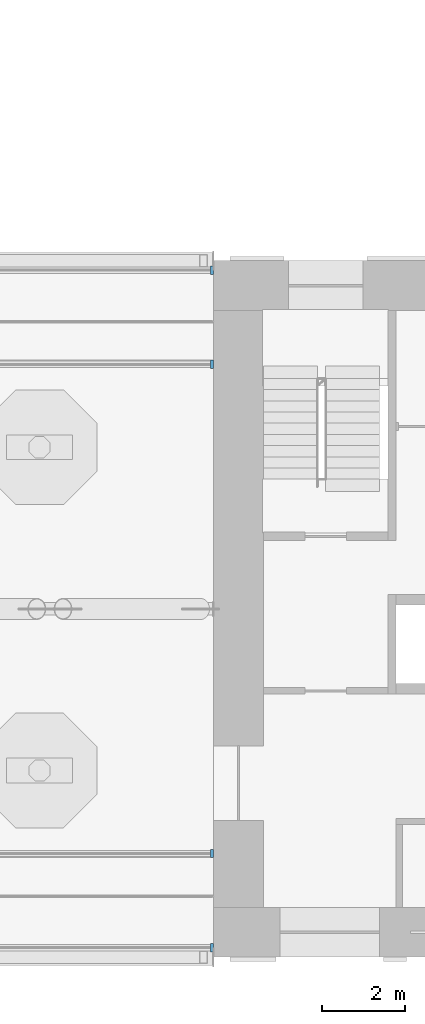
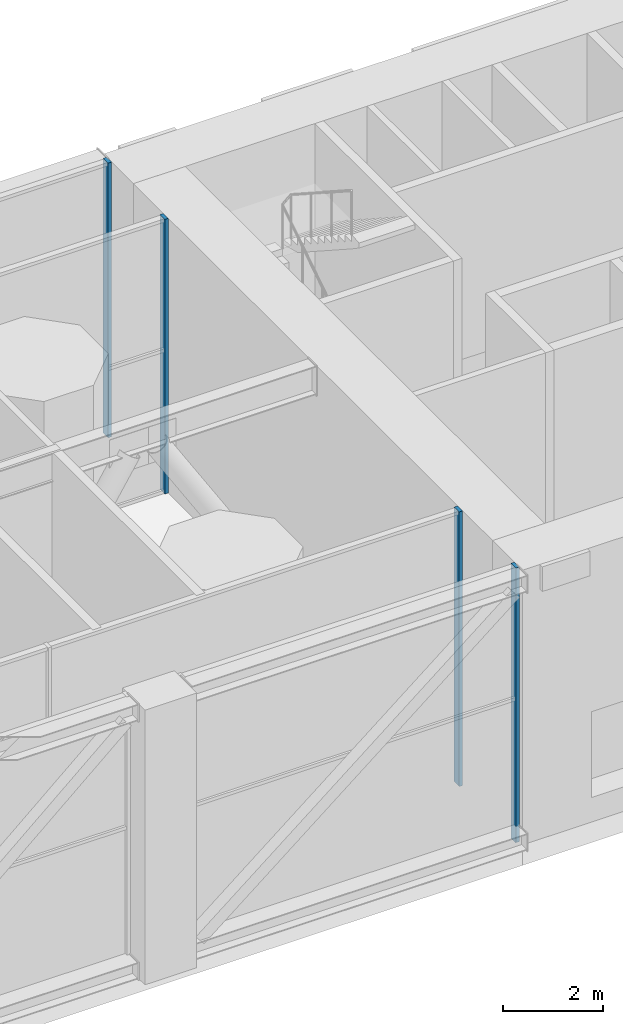
# One storey, part 4 of 20: 4 members, 4 elements without a shape of their own.
"""IFC4 building model written with IfcOpenShell, lengths in metres."""

from ifc_helpers import new_model, si_unit, direction, frame, origin, origin_2d, place, context, subcontext, project, spatial, rectangle, extrude, material, material_profile, profile_set, type_object, element, aggregate, save


model = new_model("IFC4")

# Units and contexts
model_context = context("Model", 3, precision=1e-05, world=origin(), true_north=direction((0.0, 1.0)))
body_context = subcontext(model_context, "Body", "Model", "MODEL_VIEW")
ifc_project = project(units=[si_unit("LENGTHUNIT", "METRE"), si_unit("AREAUNIT", "SQUARE_METRE"), si_unit("VOLUMEUNIT", "CUBIC_METRE"), si_unit("PLANEANGLEUNIT", "RADIAN"), si_unit("MASSUNIT", "GRAM", prefix="KILO")], contexts=[model_context])

# Site, building, storey
site_placement = place(None, origin())
site = spatial("IfcSite", under=ifc_project, at=site_placement, CompositionType="ELEMENT")
building_placement = place(site_placement, origin())
building = spatial("IfcBuilding", under=site, at=building_placement, Name="Vermilion Gate Residences", CompositionType="ELEMENT")
storey_placement = place(building_placement, frame((0.0, 0.0, 207.199951171875)))
storey = spatial("IfcBuildingStorey", under=building, at=storey_placement, Name="L54", CompositionType="ELEMENT", Elevation=207.199951171875)

# Curtain wall, member
ifc_material_1 = material(Name="Aluminium and glass", Category="aluminium")
curtain_wall_type = type_object("IfcCurtainWallType", Name="SKY GARDEN GLAZING CURTAIN WALL", PredefinedType="NOTDEFINED", material=ifc_material_1)
curtain_wall_1_placement = place(storey_placement, origin())
curtain_wall_1 = element("IfcCurtainWall", 1, at=curtain_wall_1_placement, inside=storey, type_object=curtain_wall_type, Name="Sky Garden Glazing 32", PredefinedType="NOTDEFINED")
ifc_material_2 = material(Name="Aluminium", Category="aluminium")
ifc_material_profile = material_profile(ifc_material_2, rectangle(XDim=0.199951171875, YDim=0.080078125, at=origin_2d()), Name="MULLION 80 X 200")
ifc_profile_set = profile_set([ifc_material_profile], Name="Aluminium")
member_type = type_object("IfcMemberType", Name="SKY GARDEN GLAZING MULLION 80 X 200", PredefinedType="MULLION", material=ifc_profile_set)
member_1_placement = place(storey_placement, frame((41.9599609375, 10.89990234375, 0.0), z_axis=(0.0, 0.0, 1.0), x_axis=(0.0, 1.0, 0.0)))
member_1 = element("IfcMember", 2, at=member_1_placement, type_object=member_type, Name="ECW3 mullion 3", PredefinedType="MULLION", context=body_context, shape_type="SweptSolid", body=[
    extrude(rectangle(XDim=0.199951171875, YDim=0.080078125, at=origin_2d()), origin(), (0.0, 0.0, 1.0), 6.719970703125),
])
aggregate(curtain_wall_1, [member_1])

curtain_wall_2_placement = place(storey_placement, origin())
curtain_wall_2 = element("IfcCurtainWall", 3, at=curtain_wall_2_placement, inside=storey, type_object=curtain_wall_type, Name="Sky Garden Glazing 40", PredefinedType="NOTDEFINED")
member_2_placement = place(storey_placement, frame((41.9599609375, 22.699951171875, 0.0), z_axis=(0.0, 0.0, 1.0), x_axis=(0.0, -1.0, 0.0)))
member_2 = element("IfcMember", 4, at=member_2_placement, type_object=member_type, Name="ECW3 mullion 1", PredefinedType="MULLION", context=body_context, shape_type="SweptSolid", body=[
    extrude(rectangle(XDim=0.199951171875, YDim=0.080078125, at=origin_2d()), origin(), (0.0, 0.0, 1.0), 6.719970703125),
])
aggregate(curtain_wall_2, [member_2])

curtain_wall_3_placement = place(storey_placement, origin())
curtain_wall_3 = element("IfcCurtainWall", 5, at=curtain_wall_3_placement, inside=storey, type_object=curtain_wall_type, Name="Sky Garden Glazing 507", PredefinedType="NOTDEFINED")
member_3_placement = place(storey_placement, frame((41.9599609375, 8.6298828125, 0.0), z_axis=(0.0, 0.0, 1.0), x_axis=(0.0, 1.0, 0.0)))
member_3 = element("IfcMember", 6, at=member_3_placement, type_object=member_type, Name="ECW3 mullion 2", PredefinedType="MULLION", context=body_context, shape_type="SweptSolid", body=[
    extrude(rectangle(XDim=0.199951171875, YDim=0.080078125, at=origin_2d()), origin(), (0.0, 0.0, 1.0), 6.719970703125),
])
aggregate(curtain_wall_3, [member_3])

curtain_wall_4_placement = place(storey_placement, origin())
curtain_wall_4 = element("IfcCurtainWall", 7, at=curtain_wall_4_placement, inside=storey, type_object=curtain_wall_type, Name="Sky Garden Glazing 508", PredefinedType="NOTDEFINED")
member_4_placement = place(storey_placement, frame((41.9599609375, 24.969970703125, 0.0), z_axis=(0.0, 0.0, 1.0), x_axis=(0.0, -1.0, 0.0)))
member_4 = element("IfcMember", 8, at=member_4_placement, type_object=member_type, Name="ECW3 mullion 1", PredefinedType="MULLION", context=body_context, shape_type="SweptSolid", body=[
    extrude(rectangle(XDim=0.199951171875, YDim=0.080078125, at=origin_2d()), origin(), (0.0, 0.0, 1.0), 6.719970703125),
])
aggregate(curtain_wall_4, [member_4])

save(model, "model.ifc")
